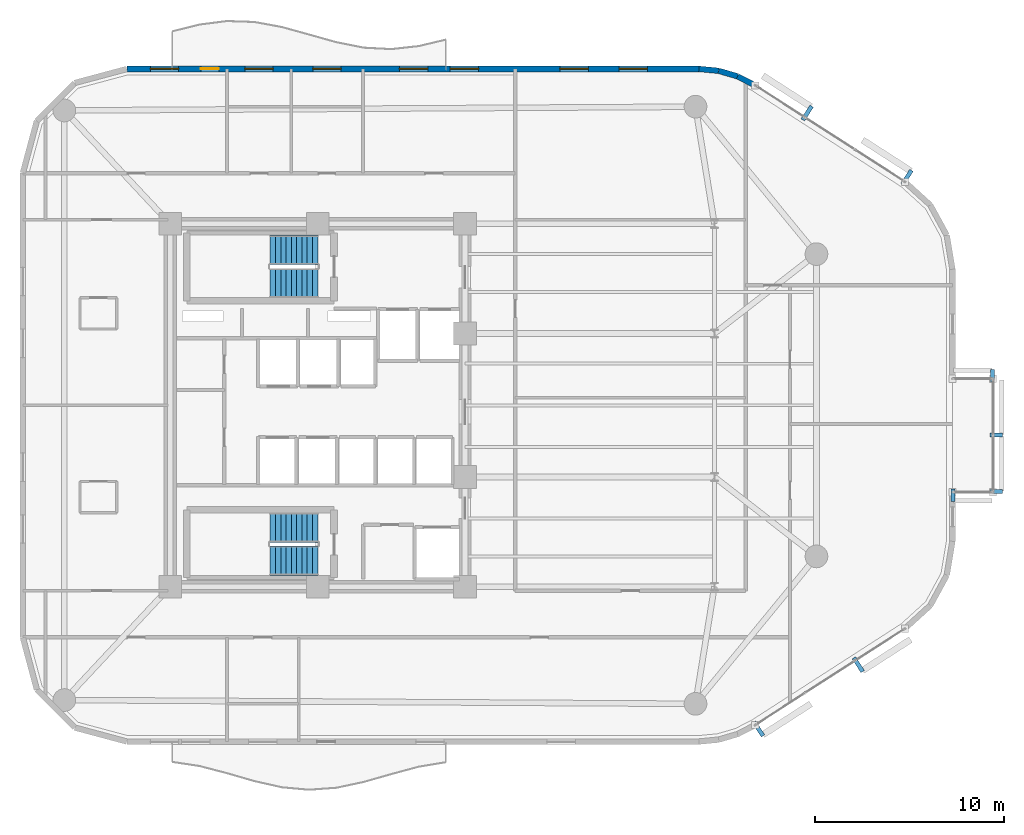
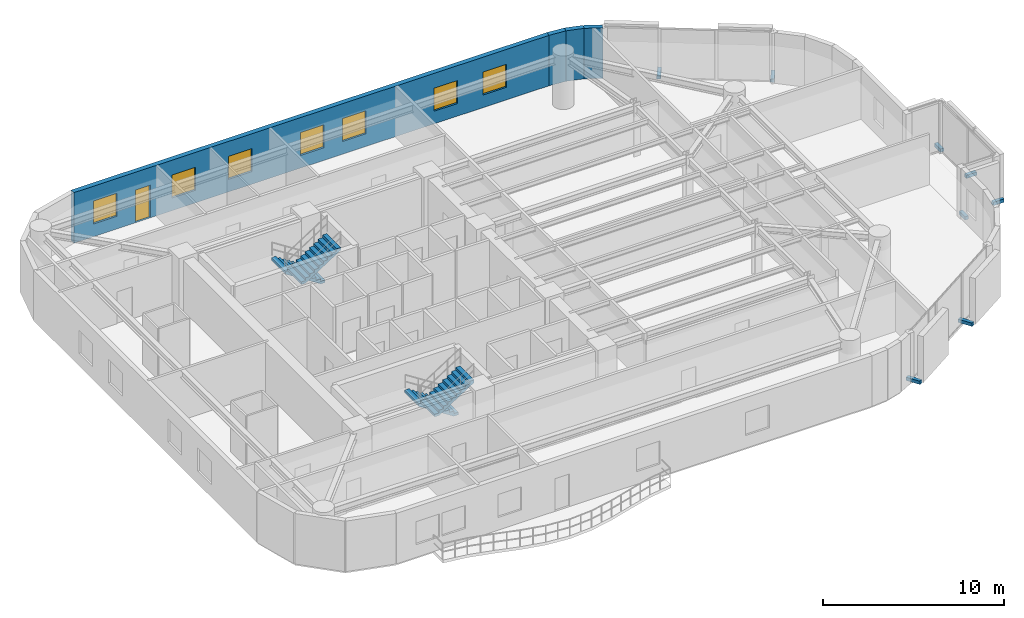
# One storey, part 14 of 16: 8 discrete accessories, 7 windows, 4 stair flights, 4 walls, 1 door, 8 openings, 2 elements without a shape of their own.
"""IFC4 building model written with IfcOpenShell, lengths in metres."""

from ifc_helpers import new_model, si_unit, direction, frame, frame_2d, origin, origin_2d, place, context, subcontext, project, spatial, polyline, rectangle, outline, extrude, material, layer, layer_set, type_object, element, fill, aggregate, save


model = new_model("IFC4")

# Units and contexts
model_context = context("Model", 3, precision=1e-05, world=origin(), true_north=direction((0.0, 1.0)))
body_context = subcontext(model_context, "Body", "Model", "MODEL_VIEW")
ifc_project = project(units=[si_unit("LENGTHUNIT", "METRE"), si_unit("AREAUNIT", "SQUARE_METRE"), si_unit("VOLUMEUNIT", "CUBIC_METRE"), si_unit("PLANEANGLEUNIT", "RADIAN"), si_unit("MASSUNIT", "GRAM", prefix="KILO")], contexts=[model_context])

# Site, building, storey
site_placement = place(None, origin())
site = spatial("IfcSite", under=ifc_project, at=site_placement, CompositionType="ELEMENT")
building_placement = place(site_placement, origin())
building = spatial("IfcBuilding", under=site, at=building_placement, Name="An Khanh Terracotta Commons", CompositionType="ELEMENT")
storey_placement = place(building_placement, frame((0.0, 0.0, 172.60009765625)))
storey = spatial("IfcBuildingStorey", under=building, at=storey_placement, Name="L45", CompositionType="ELEMENT", Elevation=172.60009765625)

# Walls
ifc_material_1 = material(Name="Precast concrete C40/50", Category="concrete")
ifc_layer = layer(ifc_material_1, 0.300048828125, Name="Precast concrete C40/50")
ifc_layer_set = layer_set([ifc_layer], Name="Precast concrete C40/50")
wall_type = type_object("IfcWallType", Name="WALL-EXT-300", PredefinedType="SOLIDWALL", material=ifc_layer_set)
wall_1_placement = place(storey_placement, frame((52.56005859375, 40.924072265625, 0.0), z_axis=(0.0, 0.0, 1.0), x_axis=(-0.888283247196, 0.459296062198, 0.0)))
element("IfcWall", 1, at=wall_1_placement, inside=storey, type_object=wall_type, Name="L45 Insulated Terracotta Exterior Wall 17", PredefinedType="SOLIDWALL", context=body_context, shape_type="SweptSolid", body=[
    extrude(rectangle(XDim=1.047119140625, YDim=0.300048828125, at=frame_2d((0.5234375, 0.0))), origin(), (0.0, 0.0, 1.0), 3.39990234375),
])
wall_2_placement = place(storey_placement, frame((51.6298828125, 41.405029296875, 0.0), z_axis=(0.0, 0.0, 1.0), x_axis=(-0.959528674476, 0.281610942363, 0.0)))
element("IfcWall", 2, at=wall_2_placement, inside=storey, type_object=wall_type, Name="L45 Insulated Terracotta Exterior Wall 18", PredefinedType="SOLIDWALL", context=body_context, shape_type="SweptSolid", body=[
    extrude(rectangle(XDim=1.04736328125, YDim=0.300048828125, at=frame_2d((0.523681640625, 0.0))), origin(), (0.0, 0.0, 1.0), 3.39990234375),
])
wall_3_placement = place(storey_placement, frame((50.625, 41.699951171875, 0.0), z_axis=(0.0, 0.0, 1.0), x_axis=(-0.995426089968, 0.095534807324, 0.0)))
element("IfcWall", 3, at=wall_3_placement, inside=storey, type_object=wall_type, Name="L45 Insulated Terracotta Exterior Wall 19", PredefinedType="SOLIDWALL", context=body_context, shape_type="SweptSolid", body=[
    extrude(rectangle(XDim=1.0478515625, YDim=0.300048828125, at=frame_2d((0.52392578125, 0.0))), origin(), (0.0, 0.0, 1.0), 3.39990234375),
])

# Wall, openings, door, windows
wall_4_placement = place(storey_placement, frame((49.58203125, 41.800048828125, 0.0), z_axis=(0.0, 0.0, 1.0), x_axis=(-1.0, 0.0, 0.0)))
wall_4 = element("IfcWall", 4, at=wall_4_placement, inside=storey, type_object=wall_type, Name="L45 Insulated Terracotta Exterior Wall 20", PredefinedType="SOLIDWALL", context=body_context, shape_type="SweptSolid", body=[
    extrude(rectangle(XDim=30.281982421875, YDim=0.300048828125, at=frame_2d((15.14111328125, 0.0))), origin(), (0.0, 0.0, 1.0), 3.39990234375),
])
opening_1_placement = place(wall_4_placement, frame((25.406982421875, 0.0, 0.0)))
opening_1 = element("IfcOpeningElement", 5, at=opening_1_placement, cuts=wall_4, Name="Opening D-BAL", PredefinedType="OPENING", context=body_context, shape_type="SweptSolid", body=[
    extrude(rectangle(XDim=0.949951171875, YDim=2.199951171875, at=frame_2d((0.47509765625, 1.10009765625))), frame((0.0, 0.159912109375, 0.0), z_axis=(0.0, -1.0, 0.0), x_axis=(1.0, 0.0, 0.0)), (0.0, 0.0, 1.0), 0.320068359375),
])
opening_2_placement = place(wall_4_placement, frame((2.72705078125, 0.0, 0.85009765625)))
opening_2 = element("IfcOpeningElement", 6, at=opening_2_placement, cuts=wall_4, Name="Opening W-03", PredefinedType="OPENING", context=body_context, shape_type="SweptSolid", body=[
    extrude(rectangle(XDim=1.5, YDim=1.550048828125, at=frame_2d((0.75, 0.77490234375))), frame((0.0, 0.159912109375, 0.0), z_axis=(0.0, -1.0, 0.0), x_axis=(1.0, 0.0, 0.0)), (0.0, 0.0, 1.0), 0.320068359375),
])
opening_3_placement = place(wall_4_placement, frame((5.85498046875, 0.0, 0.85009765625)))
opening_3 = element("IfcOpeningElement", 7, at=opening_3_placement, cuts=wall_4, Name="Opening W-03", PredefinedType="OPENING", context=body_context, shape_type="SweptSolid", body=[
    extrude(rectangle(XDim=1.5, YDim=1.550048828125, at=frame_2d((0.75, 0.77490234375))), frame((0.0, 0.159912109375, 0.0), z_axis=(0.0, -1.0, 0.0), x_axis=(1.0, 0.0, 0.0)), (0.0, 0.0, 1.0), 0.320068359375),
])
opening_4_placement = place(wall_4_placement, frame((11.6650390625, 0.0, 0.85009765625)))
opening_4 = element("IfcOpeningElement", 8, at=opening_4_placement, cuts=wall_4, Name="Opening W-03", PredefinedType="OPENING", context=body_context, shape_type="SweptSolid", body=[
    extrude(rectangle(XDim=1.5, YDim=1.550048828125, at=frame_2d((0.75, 0.77490234375))), frame((0.0, 0.159912109375, 0.0), z_axis=(0.0, -1.0, 0.0), x_axis=(1.0, 0.0, 0.0)), (0.0, 0.0, 1.0), 0.320068359375),
])
opening_5_placement = place(wall_4_placement, frame((14.34912109375, 0.0, 0.85009765625)))
opening_5 = element("IfcOpeningElement", 9, at=opening_5_placement, cuts=wall_4, Name="Opening W-03", PredefinedType="OPENING", context=body_context, shape_type="SweptSolid", body=[
    extrude(rectangle(XDim=1.5, YDim=1.550048828125, at=frame_2d((0.75, 0.77490234375))), frame((0.0, 0.159912109375, 0.0), z_axis=(0.0, -1.0, 0.0), x_axis=(1.0, 0.0, 0.0)), (0.0, 0.0, 1.0), 0.320068359375),
])
opening_6_placement = place(wall_4_placement, frame((18.931884765625, 0.0, 0.85009765625)))
opening_6 = element("IfcOpeningElement", 10, at=opening_6_placement, cuts=wall_4, Name="Opening W-03", PredefinedType="OPENING", context=body_context, shape_type="SweptSolid", body=[
    extrude(rectangle(XDim=1.5, YDim=1.550048828125, at=frame_2d((0.75, 0.77490234375))), frame((0.0, 0.159912109375, 0.0), z_axis=(0.0, -1.0, 0.0), x_axis=(1.0, 0.0, 0.0)), (0.0, 0.0, 1.0), 0.320068359375),
])
opening_7_placement = place(wall_4_placement, frame((22.531982421875, 0.0, 0.85009765625)))
opening_7 = element("IfcOpeningElement", 11, at=opening_7_placement, cuts=wall_4, Name="Opening W-03", PredefinedType="OPENING", context=body_context, shape_type="SweptSolid", body=[
    extrude(rectangle(XDim=1.5, YDim=1.550048828125, at=frame_2d((0.75, 0.77490234375))), frame((0.0, 0.159912109375, 0.0), z_axis=(0.0, -1.0, 0.0), x_axis=(1.0, 0.0, 0.0)), (0.0, 0.0, 1.0), 0.320068359375),
])
opening_8_placement = place(wall_4_placement, frame((27.531982421875, 0.0, 0.85009765625)))
opening_8 = element("IfcOpeningElement", 12, at=opening_8_placement, cuts=wall_4, Name="Opening W-03", PredefinedType="OPENING", context=body_context, shape_type="SweptSolid", body=[
    extrude(rectangle(XDim=1.5, YDim=1.550048828125, at=frame_2d((0.75, 0.77490234375))), frame((0.0, 0.159912109375, 0.0), z_axis=(0.0, -1.0, 0.0), x_axis=(1.0, 0.0, 0.0)), (0.0, 0.0, 1.0), 0.320068359375),
])
ifc_material_2 = material(Name="Thermally Broken Aluminium and Low-E Glass", Category="aluminium")
door_type = type_object("IfcDoorType", Name="DOOR-BALC-950", OperationType="NOTDEFINED", PredefinedType="DOOR", material=ifc_material_2)
door_placement = place(opening_1_placement, origin())
door = element("IfcDoor", 13, at=door_placement, inside=storey, type_object=door_type, Name="L45 N Wave Balcony Glazed Door", OperationType="SINGLE_SWING_RIGHT", OverallHeight=2.199951171875, OverallWidth=0.949951171875, PredefinedType="DOOR", context=body_context, shape_type="SweptSolid", body=[
    extrude(rectangle(XDim=0.949951171875, YDim=2.199951171875, at=frame_2d((0.47509765625, 1.10009765625))), frame((0.0, 0.02490234375, 0.0), z_axis=(0.0, -1.0, 0.0), x_axis=(1.0, 0.0, 0.0)), (0.0, 0.0, 1.0), 0.050048828125),
])
fill(opening_1, door)
window_type = type_object("IfcWindowType", Name="WIN-Z3-1500x1550", PartitioningType="DOUBLE_PANEL_VERTICAL", PredefinedType="WINDOW", material=ifc_material_2)
window_1_placement = place(opening_2_placement, origin())
window_1 = element("IfcWindow", 14, at=window_1_placement, inside=storey, type_object=window_type, Name="L45 Operable Casement Window 20.1", OverallHeight=1.550048828125, OverallWidth=1.5, PartitioningType="DOUBLE_PANEL_VERTICAL", PredefinedType="WINDOW", context=body_context, shape_type="SweptSolid", body=[
    extrude(rectangle(XDim=1.5, YDim=1.550048828125, at=frame_2d((0.75, 0.77490234375))), frame((0.0, 0.030029296875, 0.0), z_axis=(0.0, -1.0, 0.0), x_axis=(1.0, 0.0, 0.0)), (0.0, 0.0, 1.0), 0.06005859375),
])
fill(opening_2, window_1)
window_2_placement = place(opening_3_placement, origin())
window_2 = element("IfcWindow", 15, at=window_2_placement, inside=storey, type_object=window_type, Name="L45 Operable Casement Window 20.2", OverallHeight=1.550048828125, OverallWidth=1.5, PartitioningType="DOUBLE_PANEL_VERTICAL", PredefinedType="WINDOW", context=body_context, shape_type="SweptSolid", body=[
    extrude(rectangle(XDim=1.5, YDim=1.550048828125, at=frame_2d((0.75, 0.77490234375))), frame((0.0, 0.030029296875, 0.0), z_axis=(0.0, -1.0, 0.0), x_axis=(1.0, 0.0, 0.0)), (0.0, 0.0, 1.0), 0.06005859375),
])
fill(opening_3, window_2)
window_3_placement = place(opening_4_placement, origin())
window_3 = element("IfcWindow", 16, at=window_3_placement, inside=storey, type_object=window_type, Name="L45 Operable Casement Window 20.3", OverallHeight=1.550048828125, OverallWidth=1.5, PartitioningType="DOUBLE_PANEL_VERTICAL", PredefinedType="WINDOW", context=body_context, shape_type="SweptSolid", body=[
    extrude(rectangle(XDim=1.5, YDim=1.550048828125, at=frame_2d((0.75, 0.77490234375))), frame((0.0, 0.030029296875, 0.0), z_axis=(0.0, -1.0, 0.0), x_axis=(1.0, 0.0, 0.0)), (0.0, 0.0, 1.0), 0.06005859375),
])
fill(opening_4, window_3)
window_4_placement = place(opening_5_placement, origin())
window_4 = element("IfcWindow", 17, at=window_4_placement, inside=storey, type_object=window_type, Name="L45 Operable Casement Window 20.4", OverallHeight=1.550048828125, OverallWidth=1.5, PartitioningType="DOUBLE_PANEL_VERTICAL", PredefinedType="WINDOW", context=body_context, shape_type="SweptSolid", body=[
    extrude(rectangle(XDim=1.5, YDim=1.550048828125, at=frame_2d((0.75, 0.77490234375))), frame((0.0, 0.030029296875, 0.0), z_axis=(0.0, -1.0, 0.0), x_axis=(1.0, 0.0, 0.0)), (0.0, 0.0, 1.0), 0.06005859375),
])
fill(opening_5, window_4)
window_5_placement = place(opening_6_placement, origin())
window_5 = element("IfcWindow", 18, at=window_5_placement, inside=storey, type_object=window_type, Name="L45 Operable Casement Window 20.5", OverallHeight=1.550048828125, OverallWidth=1.5, PartitioningType="DOUBLE_PANEL_VERTICAL", PredefinedType="WINDOW", context=body_context, shape_type="SweptSolid", body=[
    extrude(rectangle(XDim=1.5, YDim=1.550048828125, at=frame_2d((0.75, 0.77490234375))), frame((0.0, 0.030029296875, 0.0), z_axis=(0.0, -1.0, 0.0), x_axis=(1.0, 0.0, 0.0)), (0.0, 0.0, 1.0), 0.06005859375),
])
fill(opening_6, window_5)
window_6_placement = place(opening_7_placement, origin())
window_6 = element("IfcWindow", 19, at=window_6_placement, inside=storey, type_object=window_type, Name="L45 Operable Casement Window 20.6", OverallHeight=1.550048828125, OverallWidth=1.5, PartitioningType="DOUBLE_PANEL_VERTICAL", PredefinedType="WINDOW", context=body_context, shape_type="SweptSolid", body=[
    extrude(rectangle(XDim=1.5, YDim=1.550048828125, at=frame_2d((0.75, 0.77490234375))), frame((0.0, 0.030029296875, 0.0), z_axis=(0.0, -1.0, 0.0), x_axis=(1.0, 0.0, 0.0)), (0.0, 0.0, 1.0), 0.06005859375),
])
fill(opening_7, window_6)
window_7_placement = place(opening_8_placement, origin())
window_7 = element("IfcWindow", 20, at=window_7_placement, inside=storey, type_object=window_type, Name="L45 Operable Casement Window 20.7", OverallHeight=1.550048828125, OverallWidth=1.5, PartitioningType="DOUBLE_PANEL_VERTICAL", PredefinedType="WINDOW", context=body_context, shape_type="SweptSolid", body=[
    extrude(rectangle(XDim=1.5, YDim=1.550048828125, at=frame_2d((0.75, 0.77490234375))), frame((0.0, 0.030029296875, 0.0), z_axis=(0.0, -1.0, 0.0), x_axis=(1.0, 0.0, 0.0)), (0.0, 0.0, 1.0), 0.06005859375),
])
fill(opening_8, window_7)

# Stair, stair flights
stair_type = type_object("IfcStairType", Name="STAIR-CORE-1550", PredefinedType="HALF_TURN_STAIR", material=ifc_material_1)
stair_1_placement = place(storey_placement, origin())
stair_1 = element("IfcStair", 21, at=stair_1_placement, inside=storey, type_object=stair_type, Name="L45 Core Smokeproof Exit Stair ST-01", PredefinedType="HALF_TURN_STAIR")
stair_flight_type = type_object("IfcStairFlightType", Name="FLIGHT-CORE-1550", PredefinedType="STRAIGHT", material=ifc_material_1)
stair_flight_1_placement = place(storey_placement, frame((29.409912109375, 32.22509765625, 0.0), z_axis=(0.0, 0.0, 1.0), x_axis=(-1.0, 0.0, 0.0)))
stair_flight_1 = element("IfcStairFlight", 22, at=stair_flight_1_placement, type_object=stair_flight_type, Name="ST-01 flight 1", NumberOfRisers=10, NumberOfTreads=9, PredefinedType="STRAIGHT", RiserHeight=0.18, TreadLength=0.28, context=body_context, shape_type="SweptSolid", body=[
    extrude(outline(polyline([(0.0, 0.0), (0.0, 0.179931640625), (0.280029296875, 0.179931640625), (0.280029296875, 0.360107421875), (0.56005859375, 0.360107421875), (0.56005859375, 0.5400390625), (0.840087890625, 0.5400390625), (0.840087890625, 0.719970703125), (1.1201171875, 0.719970703125), (1.1201171875, 0.89990234375), (1.39990234375, 0.89990234375), (1.39990234375, 1.080078125), (1.679931640625, 1.080078125), (1.679931640625, 1.260009765625), (1.9599609375, 1.260009765625), (1.9599609375, 1.43994140625), (2.239990234375, 1.43994140625), (2.239990234375, 1.6201171875), (2.52001953125, 1.6201171875), (2.52001953125, 1.800048828125), (2.52001953125, 1.44189453125), (0.277099609375, 0.0), (0.0, 0.0)])), frame((0.0, 0.77490234375, 0.0), z_axis=(0.0, -1.0, 0.0), x_axis=(1.0, 0.0, 0.0)), (0.0, 0.0, 1.0), 1.550048828125),
])
stair_flight_2_placement = place(storey_placement, frame((26.889892578125, 30.47509765625, 1.7998046875), z_axis=(0.0, 0.0, 1.0), x_axis=(1.0, 0.0, 0.0)))
stair_flight_2 = element("IfcStairFlight", 23, at=stair_flight_2_placement, type_object=stair_flight_type, Name="ST-01 flight 2", NumberOfRisers=10, NumberOfTreads=9, PredefinedType="STRAIGHT", RiserHeight=0.18, TreadLength=0.28, context=body_context, shape_type="SweptSolid", body=[
    extrude(outline(polyline([(0.0, 0.0), (0.0, 0.179931640625), (0.280029296875, 0.179931640625), (0.280029296875, 0.360107421875), (0.56005859375, 0.360107421875), (0.56005859375, 0.5400390625), (0.840087890625, 0.5400390625), (0.840087890625, 0.719970703125), (1.1201171875, 0.719970703125), (1.1201171875, 0.89990234375), (1.39990234375, 0.89990234375), (1.39990234375, 1.080078125), (1.679931640625, 1.080078125), (1.679931640625, 1.260009765625), (1.9599609375, 1.260009765625), (1.9599609375, 1.43994140625), (2.239990234375, 1.43994140625), (2.239990234375, 1.6201171875), (2.52001953125, 1.6201171875), (2.52001953125, 1.800048828125), (2.52001953125, 1.44189453125), (0.277099609375, 0.0), (0.0, 0.0)])), frame((0.0, 0.77490234375, 0.0), z_axis=(0.0, -1.0, 0.0), x_axis=(1.0, 0.0, 0.0)), (0.0, 0.0, 1.0), 1.550048828125),
])
aggregate(stair_1, [stair_flight_1, stair_flight_2])

stair_2_placement = place(storey_placement, origin())
stair_2 = element("IfcStair", 24, at=stair_2_placement, inside=storey, type_object=stair_type, Name="L45 Core Smokeproof Exit Stair ST-02", PredefinedType="HALF_TURN_STAIR")
stair_flight_3_placement = place(storey_placement, frame((29.409912109375, 17.52490234375, 0.0), z_axis=(0.0, 0.0, 1.0), x_axis=(-1.0, 0.0, 0.0)))
stair_flight_3 = element("IfcStairFlight", 25, at=stair_flight_3_placement, type_object=stair_flight_type, Name="ST-02 flight 1", NumberOfRisers=10, NumberOfTreads=9, PredefinedType="STRAIGHT", RiserHeight=0.18, TreadLength=0.28, context=body_context, shape_type="SweptSolid", body=[
    extrude(outline(polyline([(0.0, 0.0), (0.0, 0.179931640625), (0.280029296875, 0.179931640625), (0.280029296875, 0.360107421875), (0.56005859375, 0.360107421875), (0.56005859375, 0.5400390625), (0.840087890625, 0.5400390625), (0.840087890625, 0.719970703125), (1.1201171875, 0.719970703125), (1.1201171875, 0.89990234375), (1.39990234375, 0.89990234375), (1.39990234375, 1.080078125), (1.679931640625, 1.080078125), (1.679931640625, 1.260009765625), (1.9599609375, 1.260009765625), (1.9599609375, 1.43994140625), (2.239990234375, 1.43994140625), (2.239990234375, 1.6201171875), (2.52001953125, 1.6201171875), (2.52001953125, 1.800048828125), (2.52001953125, 1.44189453125), (0.277099609375, 0.0), (0.0, 0.0)])), frame((0.0, 0.77490234375, 0.0), z_axis=(0.0, -1.0, 0.0), x_axis=(1.0, 0.0, 0.0)), (0.0, 0.0, 1.0), 1.550048828125),
])
stair_flight_4_placement = place(storey_placement, frame((26.889892578125, 15.77490234375, 1.7998046875), z_axis=(0.0, 0.0, 1.0), x_axis=(1.0, 0.0, 0.0)))
stair_flight_4 = element("IfcStairFlight", 26, at=stair_flight_4_placement, type_object=stair_flight_type, Name="ST-02 flight 2", NumberOfRisers=10, NumberOfTreads=9, PredefinedType="STRAIGHT", RiserHeight=0.18, TreadLength=0.28, context=body_context, shape_type="SweptSolid", body=[
    extrude(outline(polyline([(0.0, 0.0), (0.0, 0.179931640625), (0.280029296875, 0.179931640625), (0.280029296875, 0.360107421875), (0.56005859375, 0.360107421875), (0.56005859375, 0.5400390625), (0.840087890625, 0.5400390625), (0.840087890625, 0.719970703125), (1.1201171875, 0.719970703125), (1.1201171875, 0.89990234375), (1.39990234375, 0.89990234375), (1.39990234375, 1.080078125), (1.679931640625, 1.080078125), (1.679931640625, 1.260009765625), (1.9599609375, 1.260009765625), (1.9599609375, 1.43994140625), (2.239990234375, 1.43994140625), (2.239990234375, 1.6201171875), (2.52001953125, 1.6201171875), (2.52001953125, 1.800048828125), (2.52001953125, 1.44189453125), (0.277099609375, 0.0), (0.0, 0.0)])), frame((0.0, 0.77490234375, 0.0), z_axis=(0.0, -1.0, 0.0), x_axis=(1.0, 0.0, 0.0)), (0.0, 0.0, 1.0), 1.550048828125),
])
aggregate(stair_2, [stair_flight_3, stair_flight_4])

# Discrete accessories
ifc_material_3 = material(Name="Stainless Steel Grade 316L", Category="steel")
discrete_accessory_type = type_object("IfcDiscreteAccessoryType", Name="Stainless Outrigger Facade Bracket", PredefinedType="BRACKET", material=ifc_material_3)
for number, where, z_axis, x_axis, name in (
    (27, (52.73291015625, 6.8720703125, 0.06982421875), (0.0, 0.0, 1.0), (0.840702081986, 0.541497931062, 0.0), "L45 Terracotta Screen Outrigger Bracket 1"),
    (28, (58.011962890625, 10.27197265625, 0.06982421875), (0.0, 0.0, 1.0), (0.840702081986, 0.541497931062, 0.0), "L45 Terracotta Screen Outrigger Bracket 3"),
):
    element("IfcDiscreteAccessory", number, at=place(storey_placement, frame(where, z_axis=z_axis, x_axis=x_axis)), inside=storey, type_object=discrete_accessory_type, Name=name, PredefinedType="BRACKET", context=body_context, shape_type="SweptSolid", body=[
        extrude(rectangle(XDim=0.219970703125, YDim=0.8701171875, at=origin_2d()), origin(), (0.0, 0.0, 1.0), 0.219970703125),
    ])
for number, where, z_axis, x_axis, name in (
    (29, (65.31494140625, 19.431884765625, 0.06982421875), (0.0, 0.0, 1.0), (0.0, 1.0, 0.0), "L45 Terracotta Screen Outrigger Bracket 1"),
    (30, (65.31494140625, 22.431884765625, 0.06982421875), (0.0, 0.0, 1.0), (0.0, 1.0, 0.0), "L45 Terracotta Screen Outrigger Bracket 2"),
    (31, (63.031982421875, 19.235107421875, 0.06982421875), (0.0, 0.0, 1.0), (1.0, 0.0, 0.0), "L45 Terracotta Screen Outrigger Bracket 1"),
    (32, (65.117919921875, 25.56494140625, 0.06982421875), (0.0, 0.0, 1.0), (-1.0, 0.0, 0.0), "L45 Terracotta Screen Outrigger Bracket 1"),
):
    element("IfcDiscreteAccessory", number, at=place(storey_placement, frame(where, z_axis=z_axis, x_axis=x_axis)), inside=storey, type_object=discrete_accessory_type, Name=name, PredefinedType="BRACKET", context=body_context, shape_type="SweptSolid", body=[
        extrude(rectangle(XDim=0.219970703125, YDim=0.669921875, at=origin_2d()), origin(), (0.0, 0.0, 1.0), 0.219970703125),
    ])
for number, where, z_axis, x_axis, name in (
    (33, (60.592041015625, 36.06591796875, 0.06982421875), (0.0, 0.0, 1.0), (-0.840702081986, 0.541497931062, 0.0), "L45 Terracotta Screen Outrigger Bracket 1"),
    (34, (55.31298828125, 39.466064453125, 0.06982421875), (0.0, 0.0, 1.0), (-0.840702081986, 0.541497931062, 0.0), "L45 Terracotta Screen Outrigger Bracket 3"),
):
    element("IfcDiscreteAccessory", number, at=place(storey_placement, frame(where, z_axis=z_axis, x_axis=x_axis)), inside=storey, type_object=discrete_accessory_type, Name=name, PredefinedType="BRACKET", context=body_context, shape_type="SweptSolid", body=[
        extrude(rectangle(XDim=0.219970703125, YDim=0.8701171875, at=origin_2d()), origin(), (0.0, 0.0, 1.0), 0.219970703125),
    ])

save(model, "model.ifc")
